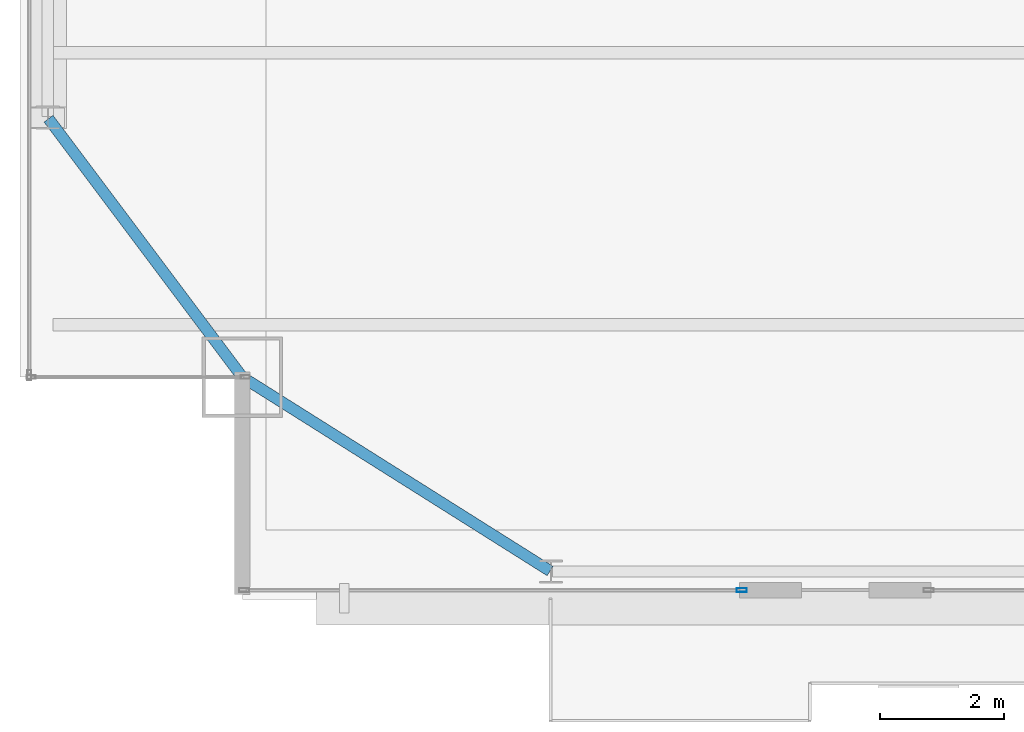
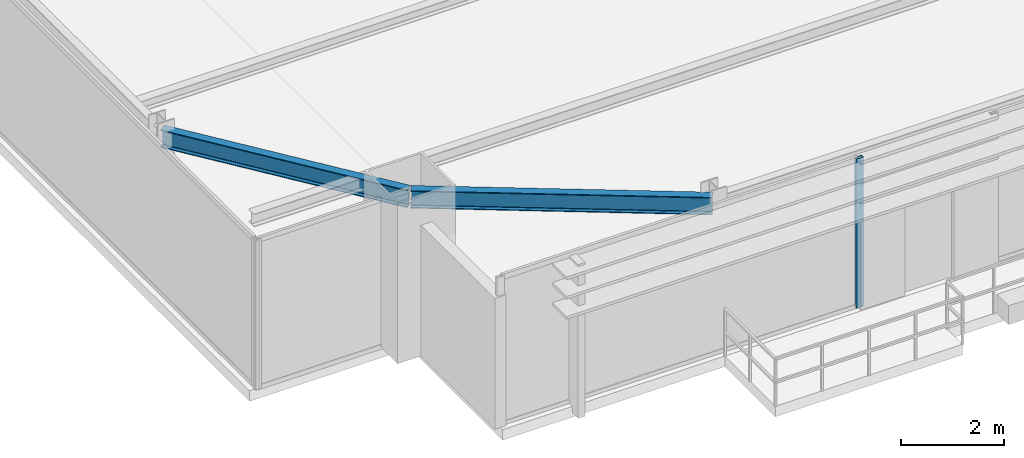
# One storey, part 5 of 32: 2 beams, 1 member, 1 element without a shape of its own.
"""IFC4 building model written with IfcOpenShell, lengths in metres."""

from ifc_helpers import new_model, si_unit, direction, frame, origin, origin_2d, place, context, subcontext, project, spatial, hollow_rectangle, i_section, extrude, source, transform, mapped, material, layer, layer_set, material_profile, profile_set, type_object, type_shapes, element, aggregate, save


model = new_model("IFC4")

# Units and contexts
model_context = context("Model", 3, precision=1e-05, world=origin(), true_north=direction((0.0, 1.0)))
body_context = subcontext(model_context, "Body", "Model", "MODEL_VIEW")
ifc_project = project(units=[si_unit("LENGTHUNIT", "METRE"), si_unit("AREAUNIT", "SQUARE_METRE"), si_unit("VOLUMEUNIT", "CUBIC_METRE"), si_unit("PLANEANGLEUNIT", "RADIAN"), si_unit("MASSUNIT", "GRAM", prefix="KILO")], contexts=[model_context])

# Site, building, storey
site_placement = place(None, origin())
site = spatial("IfcSite", under=ifc_project, at=site_placement, CompositionType="ELEMENT")
building_placement = place(site_placement, origin())
building = spatial("IfcBuilding", under=site, at=building_placement, Name="Varnel Quay Broadcast Tower", CompositionType="ELEMENT")
storey_placement = place(building_placement, frame((0.0, 0.0, 164.800048828125)))
storey = spatial("IfcBuildingStorey", under=building, at=storey_placement, Name="L40", CompositionType="ELEMENT", Elevation=164.800048828125)

# Beams
ifc_material_1 = material(Name="Structural Steel CSA G40.21 350W", Category="steel")
ifc_material_profile_1 = material_profile(ifc_material_1, i_section(OverallWidth=0.180908203125, OverallDepth=0.4169921875, WebThickness=0.010986328125, FlangeThickness=0.018310546875, FilletRadius=0.011962890625, at=origin_2d()), Name="W410X85")
ifc_profile_set_1 = profile_set([ifc_material_profile_1], Name="Structural Steel CSA G40.21 350W")
beam_type = type_object("IfcBeamType", Name="Beam_W410X85", PredefinedType="SPANDREL", material=ifc_profile_set_1)
shared_shape_1 = source(origin(), body_context, "Body", "SweptSolid", [
    extrude(i_section(OverallWidth=0.180908203125, OverallDepth=0.4169921875, WebThickness=0.010986328125, FlangeThickness=0.018310546875, FilletRadius=0.011962890625, at=origin_2d()), origin(), (0.0, 0.0, 1.0), 5.869384765625),
])
beam_1_placement = place(storey_placement, frame((10.616943359375, 10.789306640625, 3.341552734375), z_axis=(0.846088328928, -0.533042718412, 0.0), x_axis=(0.533042718412, 0.846088328928, 0.0)))
element("IfcBeam", 1, at=beam_1_placement, inside=storey, type_object=beam_type, Name="L40 South Spandrel MC-SW-TC-S1", PredefinedType="SPANDREL", context=body_context, shape_type="MappedRepresentation", body=[
    mapped(shared_shape_1, transform((0.0, 0.0, 0.0), x_axis=(1.0, 0.0, 0.0), y_axis=(0.0, 1.0, 0.0), z_axis=(0.0, 0.0, 1.0), scale=1.0)),
])
shared_shape_2 = source(origin(), body_context, "Body", "SweptSolid", [
    extrude(i_section(OverallWidth=0.180908203125, OverallDepth=0.4169921875, WebThickness=0.010986328125, FlangeThickness=0.018310546875, FilletRadius=0.011962890625, at=origin_2d()), origin(), (0.0, 0.0, 1.0), 5.2099609375),
])
type_shapes(beam_type, [shared_shape_1, shared_shape_2])
beam_2_placement = place(storey_placement, frame((10.587890625, 10.81591796875, 3.341552734375), z_axis=(-0.6, 0.8, 0.0), x_axis=(-0.8, -0.6, 0.0)))
element("IfcBeam", 2, at=beam_2_placement, inside=storey, type_object=beam_type, Name="L40 West Spandrel MC-SW-TC-W1", PredefinedType="SPANDREL", context=body_context, shape_type="MappedRepresentation", body=[
    mapped(shared_shape_2, transform((0.0, 0.0, 0.0), x_axis=(1.0, 0.0, 0.0), y_axis=(0.0, 1.0, 0.0), z_axis=(0.0, 0.0, 1.0), scale=1.0)),
])

# Curtain wall, member
ifc_material_2 = material(Name="Anodised Bronze Aluminium 6063-T6", Category="aluminium")
ifc_layer = layer(ifc_material_2, 0.18994140625, Name="Anodised Bronze Aluminium 6063-T6")
ifc_layer_set = layer_set([ifc_layer], Name="Anodised Bronze Aluminium 6063-T6")
curtain_wall_type = type_object("IfcCurtainWallType", Name="CW_UpperTower", PredefinedType="NOTDEFINED", material=ifc_layer_set)
curtain_wall_placement = place(storey_placement, origin())
curtain_wall = element("IfcCurtainWall", 3, at=curtain_wall_placement, inside=storey, type_object=curtain_wall_type, Name="L40 South Unitised Curtain Wall 1", PredefinedType="NOTDEFINED")
ifc_material_profile_2 = material_profile(ifc_material_2, hollow_rectangle(XDim=0.06494140625, YDim=0.1650390625, WallThickness=0.00341796875, at=origin_2d()), Name="ALU65X165X3.5")
ifc_profile_set_2 = profile_set([ifc_material_profile_2], Name="Anodised Bronze Aluminium 6063-T6")
member_type = type_object("IfcMemberType", Name="Mull_CWS-03", PredefinedType="MULLION", material=ifc_profile_set_2)
shared_shape_3 = source(origin(), body_context, "Body", "SweptSolid", [
    extrude(hollow_rectangle(XDim=0.06494140625, YDim=0.1650390625, WallThickness=0.00341796875, at=origin_2d()), origin(), (0.0, 0.0, 1.0), 3.550048828125),
])
type_shapes(member_type, [shared_shape_3])
member_placement = place(storey_placement, frame((18.6875, 7.35009765625, 0.0), z_axis=(0.0, 0.0, 1.0), x_axis=(0.0, 1.0, 0.0)))
member = element("IfcMember", 4, at=member_placement, type_object=member_type, Name="CWS-03 mullion 2", PredefinedType="MULLION", context=body_context, shape_type="MappedRepresentation", body=[
    mapped(shared_shape_3, transform((0.0, 0.0, 0.0), x_axis=(1.0, 0.0, 0.0), y_axis=(0.0, 1.0, 0.0), z_axis=(0.0, 0.0, 1.0), scale=1.0)),
])
aggregate(curtain_wall, [member])

save(model, "model.ifc")
